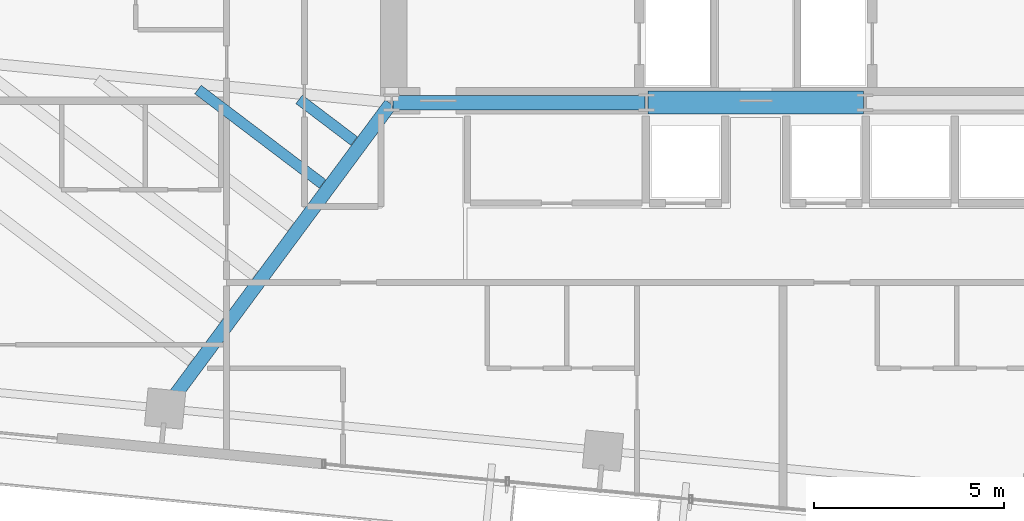
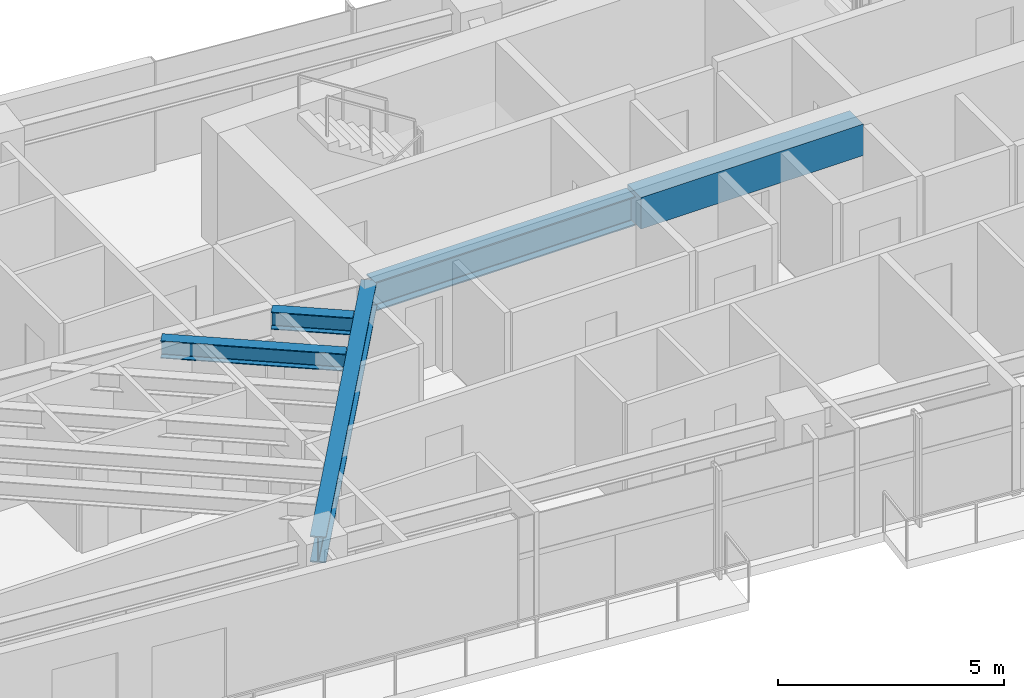
# One storey, part 5 of 20: 5 beams.
"""IFC4 building model written with IfcOpenShell, lengths in metres."""

from ifc_helpers import new_model, si_unit, direction, frame, origin, origin_2d, place, context, subcontext, project, spatial, rectangle, i_section, extrude, source, transform, mapped, material, material_profile, profile_set, type_object, type_shapes, element, save


model = new_model("IFC4")

# Units and contexts
model_context = context("Model", 3, precision=1e-05, world=origin(), true_north=direction((0.0, 1.0)))
body_context = subcontext(model_context, "Body", "Model", "MODEL_VIEW")
ifc_project = project(units=[si_unit("LENGTHUNIT", "METRE"), si_unit("AREAUNIT", "SQUARE_METRE"), si_unit("VOLUMEUNIT", "CUBIC_METRE"), si_unit("PLANEANGLEUNIT", "RADIAN"), si_unit("MASSUNIT", "GRAM", prefix="KILO")], contexts=[model_context])

# Site, building, storey
site_placement = place(None, origin())
site = spatial("IfcSite", under=ifc_project, at=site_placement, CompositionType="ELEMENT")
building_placement = place(site_placement, origin())
building = spatial("IfcBuilding", under=site, at=building_placement, Name="Astriad Promenade Condominiums", CompositionType="ELEMENT")
storey_placement = place(building_placement, frame((0.0, 0.0, 134.199951171875)))
storey = spatial("IfcBuildingStorey", under=building, at=storey_placement, Name="L38", CompositionType="ELEMENT", Elevation=134.199951171875)

# Beams
ifc_material_1 = material(Name="Steel ASTM A992 Grade 50", Category="steel")
ifc_material_profile_1 = material_profile(ifc_material_1, i_section(OverallWidth=0.3837890625, OverallDepth=0.785888671875, WebThickness=0.019775390625, FlangeThickness=0.033447265625, FilletRadius=0.021484375, at=origin_2d()), Name="W30X211")
ifc_profile_set_1 = profile_set([ifc_material_profile_1], Name="Steel ASTM A992 Grade 50")
beam_type_1 = type_object("IfcBeamType", Name="STEEL FLOOR GIRDER W30X211", PredefinedType="BEAM", material=ifc_profile_set_1)
shared_shape_1 = source(origin(), body_context, "Body", "SweptSolid", [
    extrude(i_section(OverallWidth=0.3837890625, OverallDepth=0.785888671875, WebThickness=0.019775390625, FlangeThickness=0.033447265625, FilletRadius=0.021484375, at=origin_2d()), origin(), (0.0, 0.0, 1.0), 6.64013671875),
])
type_shapes(beam_type_1, [shared_shape_1])
beam_1_placement = place(storey_placement, frame((26.43994140625, 17.39990234375, 2.547119140625), z_axis=(1.0, 0.0, 0.0), x_axis=(0.0, 1.0, 0.0)))
element("IfcBeam", 1, at=beam_1_placement, inside=storey, type_object=beam_type_1, Name="Core Ring Beam CG-S1-L38", PredefinedType="BEAM", context=body_context, shape_type="MappedRepresentation", body=[
    mapped(shared_shape_1, transform((0.0, 0.0, 0.0), scale=1.0)),
])
ifc_material_profile_2 = material_profile(ifc_material_1, i_section(OverallWidth=0.35791015625, OverallDepth=0.706298828125, WebThickness=0.018310546875, FlangeThickness=0.0302734375, FilletRadius=0.020263671875, at=origin_2d()), Name="W27X178")
ifc_profile_set_2 = profile_set([ifc_material_profile_2], Name="Steel ASTM A992 Grade 50")
beam_type_2 = type_object("IfcBeamType", Name="STEEL FLOOR GIRDER W27X178", PredefinedType="BEAM", material=ifc_profile_set_2)
shared_shape_2 = source(origin(), body_context, "Body", "SweptSolid", [
    extrude(i_section(OverallWidth=0.35791015625, OverallDepth=0.706298828125, WebThickness=0.018310546875, FlangeThickness=0.0302734375, FilletRadius=0.020263671875, at=origin_2d()), origin(), (0.0, 0.0, 1.0), 9.958984375),
])
type_shapes(beam_type_2, [shared_shape_2])
beam_2_placement = place(storey_placement, frame((20.450927734375, 9.363525390625, 2.5869140625), z_axis=(0.59497542442, 0.803743892255, 0.0), x_axis=(-0.803743892255, 0.59497542442, 0.0)))
element("IfcBeam", 2, at=beam_2_placement, inside=storey, type_object=beam_type_2, Name="Primary Floor Girder PG-W2-L38", PredefinedType="BEAM", context=body_context, shape_type="MappedRepresentation", body=[
    mapped(shared_shape_2, transform((0.0, 0.0, 0.0), scale=1.0)),
])
ifc_material_2 = material(Name="Concrete C60/75", Category="concrete")
ifc_material_profile_3 = material_profile(ifc_material_2, rectangle(XDim=0.60009765625, YDim=0.85009765625, at=origin_2d()), Name="RC-BM-600X850")
ifc_profile_set_3 = profile_set([ifc_material_profile_3], Name="Concrete C60/75")
beam_type_3 = type_object("IfcBeamType", Name="CONCRETE CORE COUPLING LINTEL 600X850", PredefinedType="LINTEL", material=ifc_profile_set_3)
shared_shape_3 = source(origin(), body_context, "Body", "SweptSolid", [
    extrude(rectangle(XDim=0.60009765625, YDim=0.85009765625, at=origin_2d()), origin(), (0.0, 0.0, 1.0), 5.68017578125),
])
type_shapes(beam_type_3, [shared_shape_3])
beam_3_placement = place(storey_placement, frame((33.159912109375, 17.39990234375, 2.51513671875), z_axis=(1.0, 0.0, 0.0), x_axis=(0.0, 1.0, 0.0)))
element("IfcBeam", 3, at=beam_3_placement, inside=storey, type_object=beam_type_3, Name="Core Ring Beam CG-S2-L38", PredefinedType="LINTEL", context=body_context, shape_type="MappedRepresentation", body=[
    mapped(shared_shape_3, transform((0.0, 0.0, 0.0), scale=1.0)),
])
ifc_material_profile_4 = material_profile(ifc_material_1, i_section(OverallWidth=0.283203125, OverallDepth=0.47216796875, WebThickness=0.013671875, FlangeThickness=0.022216796875, FilletRadius=0.01513671875, at=origin_2d()), Name="W18X97")
ifc_profile_set_4 = profile_set([ifc_material_profile_4], Name="Steel ASTM A992 Grade 50")
beam_type_4 = type_object("IfcBeamType", Name="STEEL FLOOR JOIST W18X97", PredefinedType="JOIST", material=ifc_profile_set_4)
shared_shape_4 = source(origin(), body_context, "Body", "SweptSolid", [
    extrude(i_section(OverallWidth=0.283203125, OverallDepth=0.47216796875, WebThickness=0.013671875, FlangeThickness=0.022216796875, FilletRadius=0.01513671875, at=origin_2d()), origin(), (0.0, 0.0, 1.0), 4.12109375),
])
beam_4_placement = place(storey_placement, frame((21.292724609375, 17.744140625, 2.703857421875), z_axis=(0.796968568798, -0.604020778077, 0.0), x_axis=(0.604020778077, 0.796968568798, 0.0)))
element("IfcBeam", 4, at=beam_4_placement, inside=storey, type_object=beam_type_4, Name="Secondary Composite Floor Joist JW1-5-L38", PredefinedType="JOIST", context=body_context, shape_type="MappedRepresentation", body=[
    mapped(shared_shape_4, transform((0.0, 0.0, 0.0), scale=1.0)),
])
shared_shape_5 = source(origin(), body_context, "Body", "SweptSolid", [
    extrude(i_section(OverallWidth=0.283203125, OverallDepth=0.47216796875, WebThickness=0.013671875, FlangeThickness=0.022216796875, FilletRadius=0.01513671875, at=origin_2d()), origin(), (0.0, 0.0, 1.0), 1.82177734375),
])
type_shapes(beam_type_4, [shared_shape_4, shared_shape_5])
beam_5_placement = place(storey_placement, frame((23.96142578125, 17.48486328125, 2.703857421875), z_axis=(0.796982671853, -0.604002169504, 0.0), x_axis=(0.604002169504, 0.796982671853, 0.0)))
element("IfcBeam", 5, at=beam_5_placement, inside=storey, type_object=beam_type_4, Name="Secondary Composite Floor Joist JW1-6-L38", PredefinedType="JOIST", context=body_context, shape_type="MappedRepresentation", body=[
    mapped(shared_shape_5, transform((0.0, 0.0, 0.0), scale=1.0)),
])

save(model, "model.ifc")
